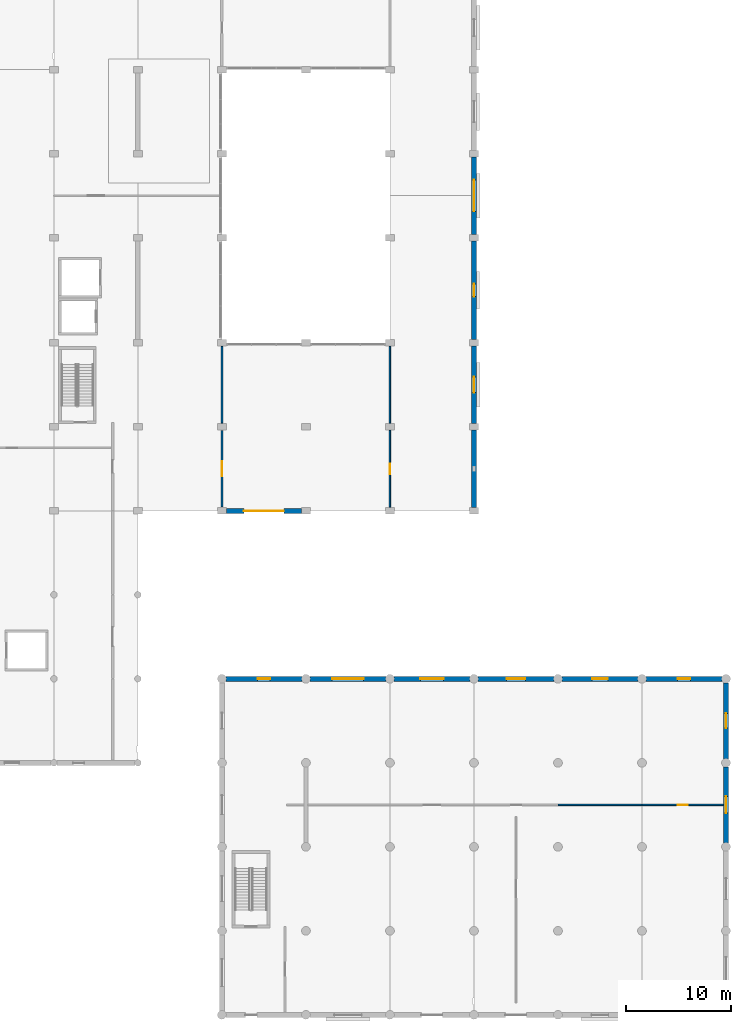
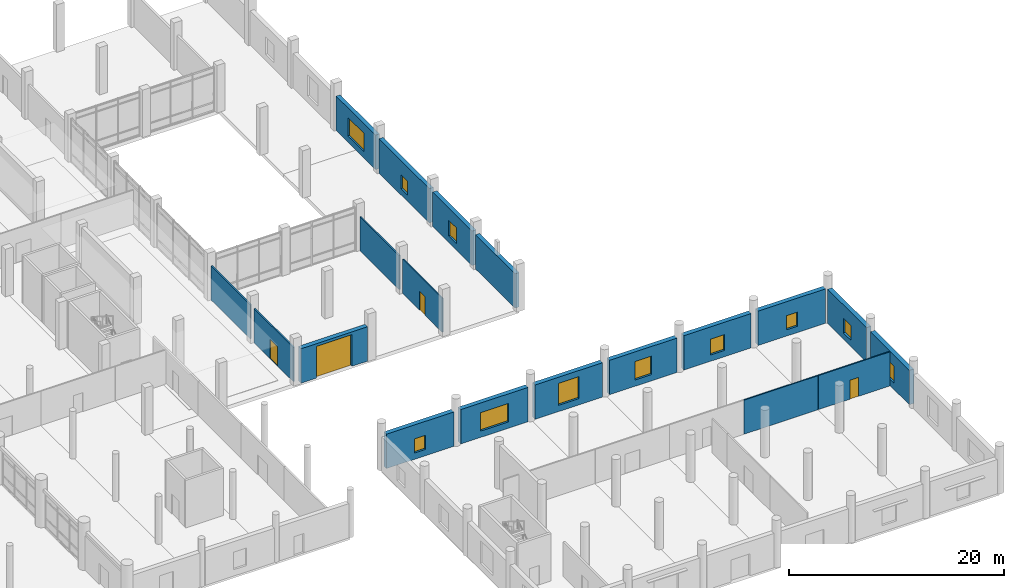
# One storey, part 29 of 42: 19 walls, 11 windows, 4 doors, 15 openings.
"""IFC4 building model written with IfcOpenShell, lengths in metres."""

from ifc_helpers import new_model, si_unit, direction, frame, frame_2d, origin, place, context, subcontext, project, spatial, rectangle, extrude, material, layer, layer_set, type_object, element, fill, save


model = new_model("IFC4")

# Units and contexts
model_context = context("Model", 3, precision=1e-05, world=origin(), true_north=direction((0.0, 1.0)))
body_context = subcontext(model_context, "Body", "Model", "MODEL_VIEW")
ifc_project = project(units=[si_unit("LENGTHUNIT", "METRE"), si_unit("AREAUNIT", "SQUARE_METRE"), si_unit("VOLUMEUNIT", "CUBIC_METRE"), si_unit("PLANEANGLEUNIT", "RADIAN"), si_unit("MASSUNIT", "GRAM", prefix="KILO")], contexts=[model_context])

# Site, building, storey
site_placement = place(None, origin())
site = spatial("IfcSite", under=ifc_project, at=site_placement, CompositionType="ELEMENT")
building_placement = place(site_placement, origin())
building = spatial("IfcBuilding", under=site, at=building_placement, Name="Pecanmere Concourse Central Library", CompositionType="ELEMENT")
storey_placement = place(building_placement, origin())
storey = spatial("IfcBuildingStorey", under=building, at=storey_placement, Name="L01", CompositionType="ELEMENT", Elevation=0.0)

# Wall, opening, window
ifc_material_1 = material(Name="Texas sunset granite ashlar", Category="masonry")
ifc_layer_1 = layer(ifc_material_1, 0.47998046875, Name="EW_GRAN_480")
ifc_layer_set_1 = layer_set([ifc_layer_1], Name="Texas sunset granite ashlar")
wall_type_1 = type_object("IfcWallType", Name="EW_GRAN_480", PredefinedType="STANDARD", material=ifc_layer_set_1)
wall_1_placement = place(storey_placement, frame((135.6220703125, 32.0, 0.0), z_axis=(0.0, 0.0, 1.0), x_axis=(-1.0, 0.0, 0.0)))
wall_1 = element("IfcWall", 1, at=wall_1_placement, inside=storey, type_object=wall_type_1, Name="Limestone Facade Wall L01-0031", PredefinedType="STANDARD", context=body_context, shape_type="SweptSolid", body=[
    extrude(rectangle(XDim=7.244140625, YDim=0.47998046875, at=frame_2d((3.6220703125, 0.0))), origin(), (0.0, 0.0, 1.0), 3.909912109375),
])
opening_1_placement = place(wall_1_placement, frame((3.02197265625, 0.0, 0.719970703125)))
opening_1 = element("IfcOpeningElement", 2, at=opening_1_placement, cuts=wall_1, Name="Opening WN-13", PredefinedType="OPENING", context=body_context, shape_type="SweptSolid", body=[
    extrude(rectangle(XDim=1.199951171875, YDim=1.60009765625, at=frame_2d((0.60009765625, 0.800048828125))), frame((0.0, 0.251953125, 0.0), z_axis=(0.0, -1.0, 0.0), x_axis=(1.0, 0.0, 0.0)), (0.0, 0.0, 1.0), 0.50390625),
])
ifc_material_2 = material(Name="Low-iron clear insulated glazing", Category="glass")
window_type_1 = type_object("IfcWindowType", Name="WIN_1200x1600", PartitioningType="SINGLE_PANEL", PredefinedType="WINDOW", material=ifc_material_2)
window_1_placement = place(opening_1_placement, origin())
window_1 = element("IfcWindow", 3, at=window_1_placement, inside=storey, type_object=window_type_1, Name="WN-018", OverallHeight=1.60009765625, OverallWidth=1.199951171875, PartitioningType="SINGLE_PANEL", PredefinedType="WINDOW", context=body_context, shape_type="SweptSolid", body=[
    extrude(rectangle(XDim=1.199951171875, YDim=1.60009765625, at=frame_2d((0.60009765625, 0.800048828125))), frame((0.0, 0.030029296875, 0.0), z_axis=(0.0, -1.0, 0.0), x_axis=(1.0, 0.0, 0.0)), (0.0, 0.0, 1.0), 0.06005859375),
])
fill(opening_1, window_1)

wall_2_placement = place(storey_placement, frame((143.6220703125, 32.0, 0.0), z_axis=(0.0, 0.0, 1.0), x_axis=(-1.0, 0.0, 0.0)))
wall_2 = element("IfcWall", 4, at=wall_2_placement, inside=storey, type_object=wall_type_1, Name="Limestone Facade Wall L01-0033", PredefinedType="STANDARD", context=body_context, shape_type="SweptSolid", body=[
    extrude(rectangle(XDim=7.244140625, YDim=0.47998046875, at=frame_2d((3.6220703125, 0.0))), origin(), (0.0, 0.0, 1.0), 3.909912109375),
])
opening_2_placement = place(wall_2_placement, frame((2.1220703125, 0.0, 0.719970703125)))
opening_2 = element("IfcOpeningElement", 5, at=opening_2_placement, cuts=wall_2, Name="Opening WN-17", PredefinedType="OPENING", context=body_context, shape_type="SweptSolid", body=[
    extrude(rectangle(XDim=3.0, YDim=2.10009765625, at=frame_2d((1.5, 1.050048828125))), frame((0.0, 0.251953125, 0.0), z_axis=(0.0, -1.0, 0.0), x_axis=(1.0, 0.0, 0.0)), (0.0, 0.0, 1.0), 0.50390625),
])
ifc_material_3 = material(Name="Low-iron clear insulated glazing", Category="glass")
window_type_2 = type_object("IfcWindowType", Name="WIN_3000x2100", PartitioningType="SINGLE_PANEL", PredefinedType="WINDOW", material=ifc_material_3)
window_2_placement = place(opening_2_placement, origin())
window_2 = element("IfcWindow", 6, at=window_2_placement, inside=storey, type_object=window_type_2, Name="WN-020", OverallHeight=2.10009765625, OverallWidth=3.0, PartitioningType="SINGLE_PANEL", PredefinedType="WINDOW", context=body_context, shape_type="SweptSolid", body=[
    extrude(rectangle(XDim=3.0, YDim=2.10009765625, at=frame_2d((1.5, 1.050048828125))), frame((0.0, 0.030029296875, 0.0), z_axis=(0.0, -1.0, 0.0), x_axis=(1.0, 0.0, 0.0)), (0.0, 0.0, 1.0), 0.06005859375),
])
fill(opening_2, window_2)

wall_3_placement = place(storey_placement, frame((151.6220703125, 32.0, 0.0), z_axis=(0.0, 0.0, 1.0), x_axis=(-1.0, 0.0, 0.0)))
wall_3 = element("IfcWall", 7, at=wall_3_placement, inside=storey, type_object=wall_type_1, Name="Limestone Facade Wall L01-0035", PredefinedType="STANDARD", context=body_context, shape_type="SweptSolid", body=[
    extrude(rectangle(XDim=7.244140625, YDim=0.47998046875, at=frame_2d((3.6220703125, 0.0))), origin(), (0.0, 0.0, 1.0), 3.909912109375),
])
opening_3_placement = place(wall_3_placement, frame((2.52197265625, 0.0, 0.719970703125)))
opening_3 = element("IfcOpeningElement", 8, at=opening_3_placement, cuts=wall_3, Name="Opening WN-02", PredefinedType="OPENING", context=body_context, shape_type="SweptSolid", body=[
    extrude(rectangle(XDim=2.199951171875, YDim=2.5, at=frame_2d((1.10009765625, 1.25))), frame((0.0, 0.251953125, 0.0), z_axis=(0.0, -1.0, 0.0), x_axis=(1.0, 0.0, 0.0)), (0.0, 0.0, 1.0), 0.50390625),
])
ifc_material_4 = material(Name="Low-iron clear insulated glazing", Category="glass")
window_type_3 = type_object("IfcWindowType", Name="WIN_2200x2500", PartitioningType="SINGLE_PANEL", PredefinedType="WINDOW", material=ifc_material_4)
window_3_placement = place(opening_3_placement, origin())
window_3 = element("IfcWindow", 9, at=window_3_placement, inside=storey, type_object=window_type_3, Name="WN-021", OverallHeight=2.5, OverallWidth=2.199951171875, PartitioningType="SINGLE_PANEL", PredefinedType="WINDOW", context=body_context, shape_type="SweptSolid", body=[
    extrude(rectangle(XDim=2.199951171875, YDim=2.5, at=frame_2d((1.10009765625, 1.25))), frame((0.0, 0.030029296875, 0.0), z_axis=(0.0, -1.0, 0.0), x_axis=(1.0, 0.0, 0.0)), (0.0, 0.0, 1.0), 0.06005859375),
])
fill(opening_3, window_3)

wall_4_placement = place(storey_placement, frame((159.6220703125, 32.0, 0.0), z_axis=(0.0, 0.0, 1.0), x_axis=(-1.0, 0.0, 0.0)))
wall_4 = element("IfcWall", 10, at=wall_4_placement, inside=storey, type_object=wall_type_1, Name="Limestone Facade Wall L01-0037", PredefinedType="STANDARD", context=body_context, shape_type="SweptSolid", body=[
    extrude(rectangle(XDim=7.244140625, YDim=0.47998046875, at=frame_2d((3.6220703125, 0.0))), origin(), (0.0, 0.0, 1.0), 3.909912109375),
])
opening_4_placement = place(wall_4_placement, frame((2.721923828125, 0.0, 0.719970703125)))
opening_4 = element("IfcOpeningElement", 11, at=opening_4_placement, cuts=wall_4, Name="Opening WN-05", PredefinedType="OPENING", context=body_context, shape_type="SweptSolid", body=[
    extrude(rectangle(XDim=1.800048828125, YDim=2.10009765625, at=frame_2d((0.89990234375, 1.050048828125))), frame((0.0, 0.251953125, 0.0), z_axis=(0.0, -1.0, 0.0), x_axis=(1.0, 0.0, 0.0)), (0.0, 0.0, 1.0), 0.50390625),
])
ifc_material_5 = material(Name="Low-iron clear insulated glazing", Category="glass")
window_type_4 = type_object("IfcWindowType", Name="WIN_1800x2100", PartitioningType="SINGLE_PANEL", PredefinedType="WINDOW", material=ifc_material_5)
window_4_placement = place(opening_4_placement, origin())
window_4 = element("IfcWindow", 12, at=window_4_placement, inside=storey, type_object=window_type_4, Name="WN-022", OverallHeight=2.10009765625, OverallWidth=1.800048828125, PartitioningType="SINGLE_PANEL", PredefinedType="WINDOW", context=body_context, shape_type="SweptSolid", body=[
    extrude(rectangle(XDim=1.800048828125, YDim=2.10009765625, at=frame_2d((0.89990234375, 1.050048828125))), frame((0.0, 0.030029296875, 0.0), z_axis=(0.0, -1.0, 0.0), x_axis=(1.0, 0.0, 0.0)), (0.0, 0.0, 1.0), 0.06005859375),
])
fill(opening_4, window_4)

wall_5_placement = place(storey_placement, frame((167.6220703125, 32.0, 0.0), z_axis=(0.0, 0.0, 1.0), x_axis=(-1.0, 0.0, 0.0)))
wall_5 = element("IfcWall", 13, at=wall_5_placement, inside=storey, type_object=wall_type_1, Name="Limestone Facade Wall L01-0039", PredefinedType="STANDARD", context=body_context, shape_type="SweptSolid", body=[
    extrude(rectangle(XDim=7.244140625, YDim=0.47998046875, at=frame_2d((3.6220703125, 0.0))), origin(), (0.0, 0.0, 1.0), 3.909912109375),
])
opening_5_placement = place(wall_5_placement, frame((2.8720703125, 0.0, 0.719970703125)))
opening_5 = element("IfcOpeningElement", 14, at=opening_5_placement, cuts=wall_5, Name="Opening WN-09", PredefinedType="OPENING", context=body_context, shape_type="SweptSolid", body=[
    extrude(rectangle(XDim=1.5, YDim=1.800048828125, at=frame_2d((0.75, 0.89990234375))), frame((0.0, 0.251953125, 0.0), z_axis=(0.0, -1.0, 0.0), x_axis=(1.0, 0.0, 0.0)), (0.0, 0.0, 1.0), 0.50390625),
])
ifc_material_6 = material(Name="Low-iron clear insulated glazing", Category="glass")
window_type_5 = type_object("IfcWindowType", Name="WIN_1500x1800", PartitioningType="SINGLE_PANEL", PredefinedType="WINDOW", material=ifc_material_6)
window_5_placement = place(opening_5_placement, origin())
window_5 = element("IfcWindow", 15, at=window_5_placement, inside=storey, type_object=window_type_5, Name="WN-024", OverallHeight=1.800048828125, OverallWidth=1.5, PartitioningType="SINGLE_PANEL", PredefinedType="WINDOW", context=body_context, shape_type="SweptSolid", body=[
    extrude(rectangle(XDim=1.5, YDim=1.800048828125, at=frame_2d((0.75, 0.89990234375))), frame((0.0, 0.030029296875, 0.0), z_axis=(0.0, -1.0, 0.0), x_axis=(1.0, 0.0, 0.0)), (0.0, 0.0, 1.0), 0.06005859375),
])
fill(opening_5, window_5)

wall_6_placement = place(storey_placement, frame((175.6220703125, 32.0, 0.0), z_axis=(0.0, 0.0, 1.0), x_axis=(-1.0, 0.0, 0.0)))
wall_6 = element("IfcWall", 16, at=wall_6_placement, inside=storey, type_object=wall_type_1, Name="Limestone Facade Wall L01-0041", PredefinedType="STANDARD", context=body_context, shape_type="SweptSolid", body=[
    extrude(rectangle(XDim=7.244140625, YDim=0.47998046875, at=frame_2d((3.6220703125, 0.0))), origin(), (0.0, 0.0, 1.0), 3.909912109375),
])
opening_6_placement = place(wall_6_placement, frame((3.02197265625, 0.0, 0.719970703125)))
opening_6 = element("IfcOpeningElement", 17, at=opening_6_placement, cuts=wall_6, Name="Opening WN-13", PredefinedType="OPENING", context=body_context, shape_type="SweptSolid", body=[
    extrude(rectangle(XDim=1.199951171875, YDim=1.60009765625, at=frame_2d((0.60009765625, 0.800048828125))), frame((0.0, 0.251953125, 0.0), z_axis=(0.0, -1.0, 0.0), x_axis=(1.0, 0.0, 0.0)), (0.0, 0.0, 1.0), 0.50390625),
])
window_6_placement = place(opening_6_placement, origin())
window_6 = element("IfcWindow", 18, at=window_6_placement, inside=storey, type_object=window_type_1, Name="WN-026", OverallHeight=1.60009765625, OverallWidth=1.199951171875, PartitioningType="SINGLE_PANEL", PredefinedType="WINDOW", context=body_context, shape_type="SweptSolid", body=[
    extrude(rectangle(XDim=1.199951171875, YDim=1.60009765625, at=frame_2d((0.60009765625, 0.800048828125))), frame((0.0, 0.030029296875, 0.0), z_axis=(0.0, -1.0, 0.0), x_axis=(1.0, 0.0, 0.0)), (0.0, 0.0, 1.0), 0.06005859375),
])
fill(opening_6, window_6)

wall_7_placement = place(storey_placement, frame((176.0, 16.3779296875, 0.0), z_axis=(0.0, 0.0, 1.0), x_axis=(0.0, 1.0, 0.0)))
wall_7 = element("IfcWall", 19, at=wall_7_placement, inside=storey, type_object=wall_type_1, Name="Limestone Facade Wall L01-0047", PredefinedType="STANDARD", context=body_context, shape_type="SweptSolid", body=[
    extrude(rectangle(XDim=7.244140625, YDim=0.47998046875, at=frame_2d((3.6220703125, 0.0))), origin(), (0.0, 0.0, 1.0), 3.909912109375),
])
opening_7_placement = place(wall_7_placement, frame((2.822021484375, 0.0, 0.719970703125)))
opening_7 = element("IfcOpeningElement", 20, at=opening_7_placement, cuts=wall_7, Name="Opening WN-07", PredefinedType="OPENING", context=body_context, shape_type="SweptSolid", body=[
    extrude(rectangle(XDim=1.60009765625, YDim=1.949951171875, at=frame_2d((0.800048828125, 0.97509765625))), frame((0.0, 0.251953125, 0.0), z_axis=(0.0, -1.0, 0.0), x_axis=(1.0, 0.0, 0.0)), (0.0, 0.0, 1.0), 0.50390625),
])
ifc_material_7 = material(Name="Low-iron clear insulated glazing", Category="glass")
window_type_6 = type_object("IfcWindowType", Name="WIN_1600x1950", PartitioningType="SINGLE_PANEL", PredefinedType="WINDOW", material=ifc_material_7)
window_7_placement = place(opening_7_placement, origin())
window_7 = element("IfcWindow", 21, at=window_7_placement, inside=storey, type_object=window_type_6, Name="WN-032", OverallHeight=1.949951171875, OverallWidth=1.60009765625, PartitioningType="SINGLE_PANEL", PredefinedType="WINDOW", context=body_context, shape_type="SweptSolid", body=[
    extrude(rectangle(XDim=1.60009765625, YDim=1.949951171875, at=frame_2d((0.800048828125, 0.97509765625))), frame((0.0, 0.030029296875, 0.0), z_axis=(0.0, -1.0, 0.0), x_axis=(1.0, 0.0, 0.0)), (0.0, 0.0, 1.0), 0.06005859375),
])
fill(opening_7, window_7)

wall_8_placement = place(storey_placement, frame((176.0, 24.3779296875, 0.0), z_axis=(0.0, 0.0, 1.0), x_axis=(0.0, 1.0, 0.0)))
wall_8 = element("IfcWall", 22, at=wall_8_placement, inside=storey, type_object=wall_type_1, Name="Limestone Facade Wall L01-0049", PredefinedType="STANDARD", context=body_context, shape_type="SweptSolid", body=[
    extrude(rectangle(XDim=7.244140625, YDim=0.47998046875, at=frame_2d((3.6220703125, 0.0))), origin(), (0.0, 0.0, 1.0), 3.909912109375),
])
opening_8_placement = place(wall_8_placement, frame((2.922119140625, 0.0, 0.719970703125)))
opening_8 = element("IfcOpeningElement", 23, at=opening_8_placement, cuts=wall_8, Name="Opening WN-11", PredefinedType="OPENING", context=body_context, shape_type="SweptSolid", body=[
    extrude(rectangle(XDim=1.39990234375, YDim=1.699951171875, at=frame_2d((0.699951171875, 0.85009765625))), frame((0.0, 0.251953125, 0.0), z_axis=(0.0, -1.0, 0.0), x_axis=(1.0, 0.0, 0.0)), (0.0, 0.0, 1.0), 0.50390625),
])
ifc_material_8 = material(Name="Low-iron clear insulated glazing", Category="glass")
window_type_7 = type_object("IfcWindowType", Name="WIN_1400x1700", PartitioningType="SINGLE_PANEL", PredefinedType="WINDOW", material=ifc_material_8)
window_8_placement = place(opening_8_placement, origin())
window_8 = element("IfcWindow", 24, at=window_8_placement, inside=storey, type_object=window_type_7, Name="WN-034", OverallHeight=1.699951171875, OverallWidth=1.39990234375, PartitioningType="SINGLE_PANEL", PredefinedType="WINDOW", context=body_context, shape_type="SweptSolid", body=[
    extrude(rectangle(XDim=1.39990234375, YDim=1.699951171875, at=frame_2d((0.699951171875, 0.85009765625))), frame((0.0, 0.030029296875, 0.0), z_axis=(0.0, -1.0, 0.0), x_axis=(1.0, 0.0, 0.0)), (0.0, 0.0, 1.0), 0.06005859375),
])
fill(opening_8, window_8)

# Wall, opening, door
wall_9_placement = place(storey_placement, frame((128.425048828125, 48.0, 0.0), z_axis=(0.0, 0.0, 1.0), x_axis=(1.0, 0.0, 0.0)))
wall_9 = element("IfcWall", 25, at=wall_9_placement, inside=storey, type_object=wall_type_1, Name="Limestone Facade Wall L01-0142", PredefinedType="STANDARD", context=body_context, shape_type="SweptSolid", body=[
    extrude(rectangle(XDim=7.14990234375, YDim=0.47998046875, at=frame_2d((3.574951171875, 0.0))), origin(), (0.0, 0.0, 1.0), 3.909912109375),
])
opening_9_placement = place(wall_9_placement, frame((1.675048828125, 0.0, 0.0)))
opening_9 = element("IfcOpeningElement", 26, at=opening_9_placement, cuts=wall_9, Name="Opening ED-06", PredefinedType="OPENING", context=body_context, shape_type="SweptSolid", body=[
    extrude(rectangle(XDim=3.800048828125, YDim=3.60009765625, at=frame_2d((1.89990234375, 1.800048828125))), frame((0.0, 0.251953125, 0.0), z_axis=(0.0, -1.0, 0.0), x_axis=(1.0, 0.0, 0.0)), (0.0, 0.0, 1.0), 0.50390625),
])
ifc_material_9 = material(Name="Painted architectural steel ASTM A36", Category="steel")
door_type_1 = type_object("IfcDoorType", Name="ED-06", OperationType="ROLLINGUP", PredefinedType="DOOR", material=ifc_material_9)
door_1_placement = place(opening_9_placement, frame((3.800048828125, 0.0, 0.0), z_axis=(0.0, 0.0, 1.0), x_axis=(-1.0, 0.0, 0.0)))
door_1 = element("IfcDoor", 27, at=door_1_placement, inside=storey, type_object=door_type_1, Name="ED-016", OperationType="ROLLINGUP", OverallHeight=3.60009765625, OverallWidth=3.800048828125, PredefinedType="DOOR", context=body_context, shape_type="SweptSolid", body=[
    extrude(rectangle(XDim=3.800048828125, YDim=3.60009765625, at=frame_2d((1.89990234375, 1.800048828125))), frame((0.0, 0.02490234375, 0.0), z_axis=(0.0, -1.0, 0.0), x_axis=(1.0, 0.0, 0.0)), (0.0, 0.0, 1.0), 0.050048828125),
])
fill(opening_9, door_1)

# Wall
ifc_material_10 = material(Name="Texas cream limestone ashlar masonry", Category="masonry")
ifc_layer_2 = layer(ifc_material_10, 0.43994140625, Name="EW_LIME_440")
ifc_layer_set_2 = layer_set([ifc_layer_2], Name="Texas cream limestone ashlar masonry")
wall_type_2 = type_object("IfcWallType", Name="EW_LIME_440", PredefinedType="STANDARD", material=ifc_layer_set_2)
wall_10_placement = place(storey_placement, frame((152.0, 48.324951171875, 0.0), z_axis=(0.0, 0.0, 1.0), x_axis=(0.0, 1.0, 0.0)))
element("IfcWall", 28, at=wall_10_placement, inside=storey, type_object=wall_type_2, Name="Limestone Facade Wall L01-0128", PredefinedType="STANDARD", context=body_context, shape_type="SweptSolid", body=[
    extrude(rectangle(XDim=7.35009765625, YDim=0.43994140625, at=frame_2d((3.675048828125, 0.0))), origin(), (0.0, 0.0, 1.0), 3.909912109375),
])

# Wall, opening, window
wall_11_placement = place(storey_placement, frame((152.0, 56.324951171875, 0.0), z_axis=(0.0, 0.0, 1.0), x_axis=(0.0, 1.0, 0.0)))
wall_11 = element("IfcWall", 29, at=wall_11_placement, inside=storey, type_object=wall_type_2, Name="Limestone Facade Wall L01-0130", PredefinedType="STANDARD", context=body_context, shape_type="SweptSolid", body=[
    extrude(rectangle(XDim=7.35009765625, YDim=0.43994140625, at=frame_2d((3.675048828125, 0.0))), origin(), (0.0, 0.0, 1.0), 3.909912109375),
])
opening_10_placement = place(wall_11_placement, frame((2.925048828125, 0.0, 0.719970703125)))
opening_10 = element("IfcOpeningElement", 30, at=opening_10_placement, cuts=wall_11, Name="Opening WN-09", PredefinedType="OPENING", context=body_context, shape_type="SweptSolid", body=[
    extrude(rectangle(XDim=1.5, YDim=1.800048828125, at=frame_2d((0.75, 0.89990234375))), frame((0.0, 0.23193359375, 0.0), z_axis=(0.0, -1.0, 0.0), x_axis=(1.0, 0.0, 0.0)), (0.0, 0.0, 1.0), 0.4638671875),
])
window_9_placement = place(opening_10_placement, origin())
window_9 = element("IfcWindow", 31, at=window_9_placement, inside=storey, type_object=window_type_5, Name="WN-113", OverallHeight=1.800048828125, OverallWidth=1.5, PartitioningType="SINGLE_PANEL", PredefinedType="WINDOW", context=body_context, shape_type="SweptSolid", body=[
    extrude(rectangle(XDim=1.5, YDim=1.800048828125, at=frame_2d((0.75, 0.89990234375))), frame((0.0, 0.030029296875, 0.0), z_axis=(0.0, -1.0, 0.0), x_axis=(1.0, 0.0, 0.0)), (0.0, 0.0, 1.0), 0.06005859375),
])
fill(opening_10, window_9)

wall_12_placement = place(storey_placement, frame((152.0, 64.324951171875, 0.0), z_axis=(0.0, 0.0, 1.0), x_axis=(0.0, 1.0, 0.0)))
wall_12 = element("IfcWall", 32, at=wall_12_placement, inside=storey, type_object=wall_type_2, Name="Limestone Facade Wall L01-0132", PredefinedType="STANDARD", context=body_context, shape_type="SweptSolid", body=[
    extrude(rectangle(XDim=9.35009765625, YDim=0.43994140625, at=frame_2d((4.675048828125, 0.0))), origin(), (0.0, 0.0, 1.0), 3.909912109375),
])
opening_11_placement = place(wall_12_placement, frame((4.074951171875, 0.0, 0.719970703125)))
opening_11 = element("IfcOpeningElement", 33, at=opening_11_placement, cuts=wall_12, Name="Opening WN-13", PredefinedType="OPENING", context=body_context, shape_type="SweptSolid", body=[
    extrude(rectangle(XDim=1.199951171875, YDim=1.60009765625, at=frame_2d((0.60009765625, 0.800048828125))), frame((0.0, 0.23193359375, 0.0), z_axis=(0.0, -1.0, 0.0), x_axis=(1.0, 0.0, 0.0)), (0.0, 0.0, 1.0), 0.4638671875),
])
window_10_placement = place(opening_11_placement, origin())
window_10 = element("IfcWindow", 34, at=window_10_placement, inside=storey, type_object=window_type_1, Name="WN-115", OverallHeight=1.60009765625, OverallWidth=1.199951171875, PartitioningType="SINGLE_PANEL", PredefinedType="WINDOW", context=body_context, shape_type="SweptSolid", body=[
    extrude(rectangle(XDim=1.199951171875, YDim=1.60009765625, at=frame_2d((0.60009765625, 0.800048828125))), frame((0.0, 0.030029296875, 0.0), z_axis=(0.0, -1.0, 0.0), x_axis=(1.0, 0.0, 0.0)), (0.0, 0.0, 1.0), 0.06005859375),
])
fill(opening_11, window_10)

wall_13_placement = place(storey_placement, frame((152.0, 74.324951171875, 0.0), z_axis=(0.0, 0.0, 1.0), x_axis=(0.0, 1.0, 0.0)))
wall_13 = element("IfcWall", 35, at=wall_13_placement, inside=storey, type_object=wall_type_2, Name="Limestone Facade Wall L01-0134", PredefinedType="STANDARD", context=body_context, shape_type="SweptSolid", body=[
    extrude(rectangle(XDim=7.35009765625, YDim=0.43994140625, at=frame_2d((3.675048828125, 0.0))), origin(), (0.0, 0.0, 1.0), 3.909912109375),
])
opening_12_placement = place(wall_13_placement, frame((2.175048828125, 0.0, 0.719970703125)))
opening_12 = element("IfcOpeningElement", 36, at=opening_12_placement, cuts=wall_13, Name="Opening WN-17", PredefinedType="OPENING", context=body_context, shape_type="SweptSolid", body=[
    extrude(rectangle(XDim=3.0, YDim=2.10009765625, at=frame_2d((1.5, 1.050048828125))), frame((0.0, 0.23193359375, 0.0), z_axis=(0.0, -1.0, 0.0), x_axis=(1.0, 0.0, 0.0)), (0.0, 0.0, 1.0), 0.4638671875),
])
window_11_placement = place(opening_12_placement, origin())
window_11 = element("IfcWindow", 37, at=window_11_placement, inside=storey, type_object=window_type_2, Name="WN-117", OverallHeight=2.10009765625, OverallWidth=3.0, PartitioningType="SINGLE_PANEL", PredefinedType="WINDOW", context=body_context, shape_type="SweptSolid", body=[
    extrude(rectangle(XDim=3.0, YDim=2.10009765625, at=frame_2d((1.5, 1.050048828125))), frame((0.0, 0.030029296875, 0.0), z_axis=(0.0, -1.0, 0.0), x_axis=(1.0, 0.0, 0.0)), (0.0, 0.0, 1.0), 0.06005859375),
])
fill(opening_12, window_11)

# Wall
ifc_material_11 = material(Name="Fire-rated gypsum board on acoustic steel stud", Category="steel")
ifc_layer_3 = layer(ifc_material_11, 0.135009765625, Name="IW_PART_135")
ifc_layer_set_3 = layer_set([ifc_layer_3], Name="Fire-rated gypsum board on acoustic steel stud")
wall_type_3 = type_object("IfcWallType", Name="IW_PART_135", PredefinedType="PARTITIONING", material=ifc_layer_set_3)
wall_14_placement = place(storey_placement, frame((160.02001953125, 20.0, 0.0), z_axis=(0.0, 0.0, 1.0), x_axis=(1.0, 0.0, 0.0)))
element("IfcWall", 38, at=wall_14_placement, inside=storey, type_object=wall_type_3, Name="Interior Partition L01-0099", PredefinedType="PARTITIONING", context=body_context, shape_type="SweptSolid", body=[
    extrude(rectangle(XDim=7.97998046875, YDim=0.135009765625, at=frame_2d((3.989990234375, 0.0))), origin(), (0.0, 0.0, 1.0), 3.8798828125),
])

# Wall, opening, door
wall_15_placement = place(storey_placement, frame((168.02001953125, 20.0, 0.0), z_axis=(0.0, 0.0, 1.0), x_axis=(1.0, 0.0, 0.0)))
wall_15 = element("IfcWall", 39, at=wall_15_placement, inside=storey, type_object=wall_type_3, Name="Interior Partition L01-0100", PredefinedType="PARTITIONING", context=body_context, shape_type="SweptSolid", body=[
    extrude(rectangle(XDim=7.72998046875, YDim=0.135009765625, at=frame_2d((3.864990234375, 0.0))), origin(), (0.0, 0.0, 1.0), 3.8798828125),
])
opening_13_placement = place(wall_15_placement, frame((3.389892578125, 0.0, 0.0)))
opening_13 = element("IfcOpeningElement", 40, at=opening_13_placement, cuts=wall_15, Name="Opening DT-06", PredefinedType="OPENING", context=body_context, shape_type="SweptSolid", body=[
    extrude(rectangle(XDim=0.949951171875, YDim=2.14990234375, at=frame_2d((0.47509765625, 1.074951171875))), frame((0.0, 0.07958984375, 0.0), z_axis=(0.0, -1.0, 0.0), x_axis=(1.0, 0.0, 0.0)), (0.0, 0.0, 1.0), 0.158935546875),
])
ifc_material_12 = material(Name="Solid white oak architectural joinery")
door_type_2 = type_object("IfcDoorType", Name="DT-06", OperationType="SINGLE_SWING_RIGHT", PredefinedType="DOOR", material=ifc_material_12)
door_2_placement = place(opening_13_placement, frame((0.949951171875, 0.0, 0.0), z_axis=(0.0, 0.0, 1.0), x_axis=(-1.0, 0.0, 0.0)))
door_2 = element("IfcDoor", 41, at=door_2_placement, inside=storey, type_object=door_type_2, Name="D-169", OperationType="SINGLE_SWING_RIGHT", OverallHeight=2.14990234375, OverallWidth=0.949951171875, PredefinedType="DOOR", context=body_context, shape_type="SweptSolid", body=[
    extrude(rectangle(XDim=0.949951171875, YDim=2.14990234375, at=frame_2d((0.47509765625, 1.074951171875))), frame((0.0, 0.02490234375, 0.0), z_axis=(0.0, -1.0, 0.0), x_axis=(1.0, 0.0, 0.0)), (0.0, 0.0, 1.0), 0.050048828125),
])
fill(opening_13, door_2)

wall_16_placement = place(storey_placement, frame((144.0, 48.340087890625, 0.0), z_axis=(0.0, 0.0, 1.0), x_axis=(0.0, 1.0, 0.0)))
wall_16 = element("IfcWall", 42, at=wall_16_placement, inside=storey, type_object=wall_type_3, Name="Interior Partition L01-0116", PredefinedType="PARTITIONING", context=body_context, shape_type="SweptSolid", body=[
    extrude(rectangle(XDim=7.31982421875, YDim=0.135009765625, at=frame_2d((3.659912109375, 0.0))), origin(), (0.0, 0.0, 1.0), 3.8798828125),
])
opening_14_placement = place(wall_16_placement, frame((3.159912109375, 0.0, 0.0)))
opening_14 = element("IfcOpeningElement", 43, at=opening_14_placement, cuts=wall_16, Name="Opening DT-03", PredefinedType="OPENING", context=body_context, shape_type="SweptSolid", body=[
    extrude(rectangle(XDim=1.0, YDim=2.14990234375, at=frame_2d((0.5, 1.074951171875))), frame((0.0, 0.07958984375, 0.0), z_axis=(0.0, -1.0, 0.0), x_axis=(1.0, 0.0, 0.0)), (0.0, 0.0, 1.0), 0.158935546875),
])
ifc_material_13 = material(Name="Solid white oak architectural joinery")
door_type_3 = type_object("IfcDoorType", Name="DT-03", OperationType="SINGLE_SWING_LEFT", PredefinedType="DOOR", material=ifc_material_13)
door_3_placement = place(opening_14_placement, origin())
door_3 = element("IfcDoor", 44, at=door_3_placement, inside=storey, type_object=door_type_3, Name="D-178", OperationType="SINGLE_SWING_LEFT", OverallHeight=2.14990234375, OverallWidth=1.0, PredefinedType="DOOR", context=body_context, shape_type="SweptSolid", body=[
    extrude(rectangle(XDim=1.0, YDim=2.14990234375, at=frame_2d((0.5, 1.074951171875))), frame((0.0, 0.02490234375, 0.0), z_axis=(0.0, -1.0, 0.0), x_axis=(1.0, 0.0, 0.0)), (0.0, 0.0, 1.0), 0.050048828125),
])
fill(opening_14, door_3)

# Wall
wall_17_placement = place(storey_placement, frame((144.0, 56.340087890625, 0.0), z_axis=(0.0, 0.0, 1.0), x_axis=(0.0, 1.0, 0.0)))
element("IfcWall", 45, at=wall_17_placement, inside=storey, type_object=wall_type_3, Name="Interior Partition L01-0117", PredefinedType="PARTITIONING", context=body_context, shape_type="SweptSolid", body=[
    extrude(rectangle(XDim=7.31982421875, YDim=0.135009765625, at=frame_2d((3.659912109375, 0.0))), origin(), (0.0, 0.0, 1.0), 3.8798828125),
])

# Wall, opening, door
ifc_material_14 = material(Name="Fire-rated gypsum board on acoustic steel stud", Category="steel")
ifc_layer_4 = layer(ifc_material_14, 0.159912109375, Name="IW_PART_160")
ifc_layer_set_4 = layer_set([ifc_layer_4], Name="Fire-rated gypsum board on acoustic steel stud")
wall_type_4 = type_object("IfcWallType", Name="IW_PART_160", PredefinedType="PARTITIONING", material=ifc_layer_set_4)
wall_18_placement = place(storey_placement, frame((128.0, 48.340087890625, 0.0), z_axis=(0.0, 0.0, 1.0), x_axis=(0.0, 1.0, 0.0)))
wall_18 = element("IfcWall", 46, at=wall_18_placement, inside=storey, type_object=wall_type_4, Name="Interior Partition L01-0120", PredefinedType="PARTITIONING", context=body_context, shape_type="SweptSolid", body=[
    extrude(rectangle(XDim=7.31982421875, YDim=0.159912109375, at=frame_2d((3.659912109375, 0.0))), origin(), (0.0, 0.0, 1.0), 3.8798828125),
])
opening_15_placement = place(wall_18_placement, frame((2.9599609375, 0.0, 0.0)))
opening_15 = element("IfcOpeningElement", 47, at=opening_15_placement, cuts=wall_18, Name="Opening FD-05", PredefinedType="OPENING", context=body_context, shape_type="SweptSolid", body=[
    extrude(rectangle(XDim=1.39990234375, YDim=2.199951171875, at=frame_2d((0.699951171875, 1.10009765625))), frame((0.0, 0.091796875, 0.0), z_axis=(0.0, -1.0, 0.0), x_axis=(1.0, 0.0, 0.0)), (0.0, 0.0, 1.0), 0.183837890625),
])
ifc_material_15 = material(Name="Painted architectural steel ASTM A36", Category="steel")
door_type_4 = type_object("IfcDoorType", Name="FD-05", OperationType="DOUBLE_DOOR_SINGLE_SWING", PredefinedType="DOOR", material=ifc_material_15)
door_4_placement = place(opening_15_placement, origin())
door_4 = element("IfcDoor", 48, at=door_4_placement, inside=storey, type_object=door_type_4, Name="D-180", OperationType="DOUBLE_DOOR_SINGLE_SWING", OverallHeight=2.199951171875, OverallWidth=1.39990234375, PredefinedType="DOOR", context=body_context, shape_type="SweptSolid", body=[
    extrude(rectangle(XDim=1.39990234375, YDim=2.199951171875, at=frame_2d((0.699951171875, 1.10009765625))), frame((0.0, 0.02490234375, 0.0), z_axis=(0.0, -1.0, 0.0), x_axis=(1.0, 0.0, 0.0)), (0.0, 0.0, 1.0), 0.050048828125),
])
fill(opening_15, door_4)

# Wall
wall_19_placement = place(storey_placement, frame((128.0, 56.340087890625, 0.0), z_axis=(0.0, 0.0, 1.0), x_axis=(0.0, 1.0, 0.0)))
element("IfcWall", 49, at=wall_19_placement, inside=storey, type_object=wall_type_4, Name="Interior Partition L01-0121", PredefinedType="PARTITIONING", context=body_context, shape_type="SweptSolid", body=[
    extrude(rectangle(XDim=7.31982421875, YDim=0.159912109375, at=frame_2d((3.659912109375, 0.0))), origin(), (0.0, 0.0, 1.0), 3.8798828125),
])

save(model, "model.ifc")
